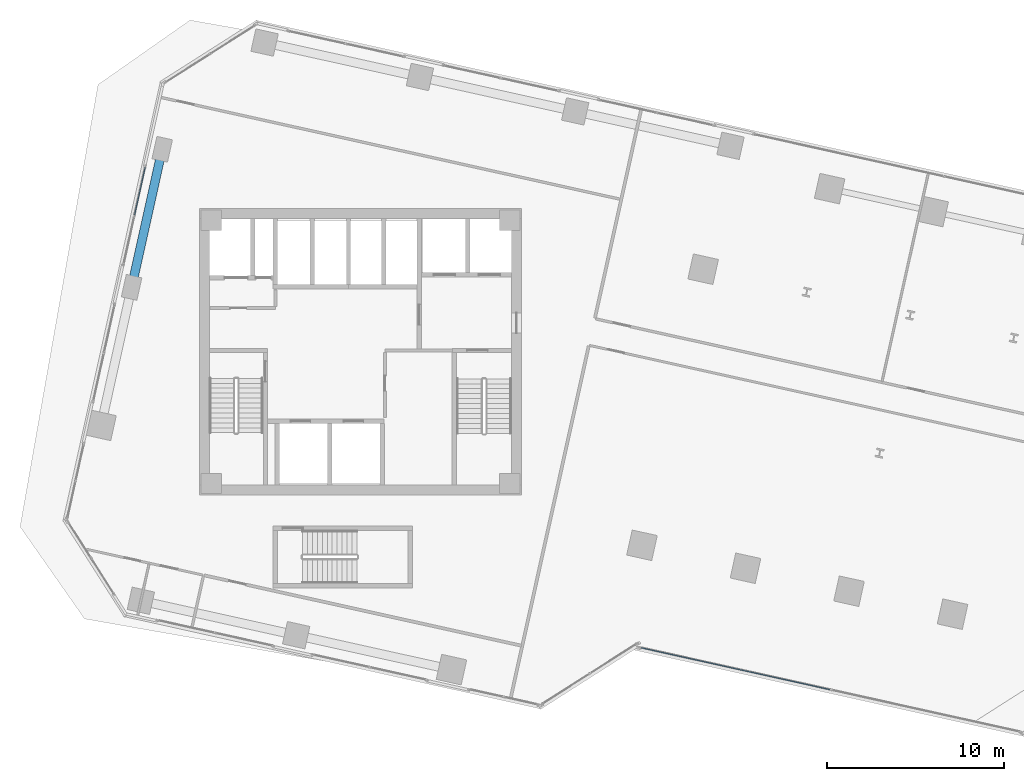
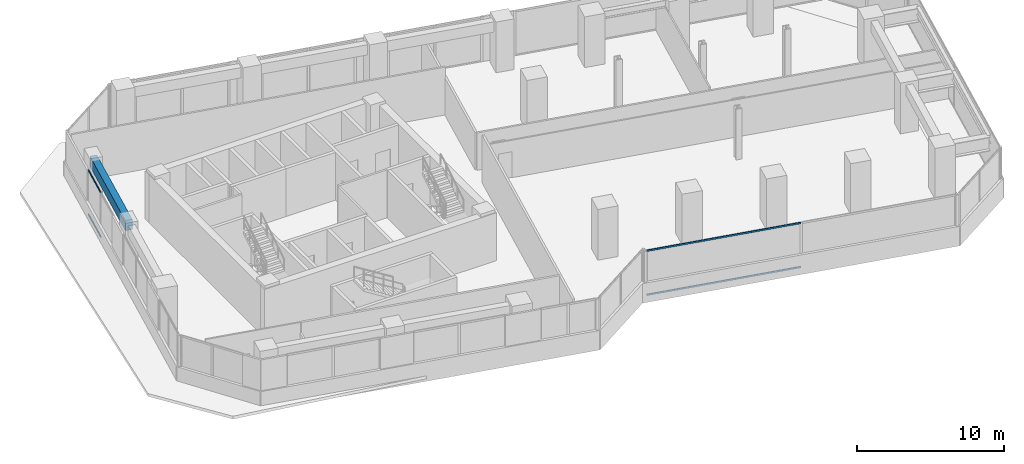
# One storey, part 7 of 25: 4 members, 1 beam, 2 elements without a shape of their own.
"""IFC4 building model written with IfcOpenShell, lengths in metres."""

from ifc_helpers import new_model, si_unit, direction, frame, origin, origin_2d, place, context, subcontext, project, spatial, rectangle, hollow_rectangle, extrude, source, transform, mapped, material, material_profile, profile_set, type_object, element, aggregate, save


model = new_model("IFC4")

# Units and contexts
model_context = context("Model", 3, precision=1e-05, world=origin(), true_north=direction((0.0, 1.0)))
body_context = subcontext(model_context, "Body", "Model", "MODEL_VIEW")
ifc_project = project(units=[si_unit("LENGTHUNIT", "METRE"), si_unit("AREAUNIT", "SQUARE_METRE"), si_unit("VOLUMEUNIT", "CUBIC_METRE"), si_unit("PLANEANGLEUNIT", "RADIAN"), si_unit("MASSUNIT", "GRAM", prefix="KILO")], contexts=[model_context])

# Site, building, storey
site_placement = place(None, origin())
site = spatial("IfcSite", under=ifc_project, at=site_placement, CompositionType="ELEMENT")
building_placement = place(site_placement, origin())
building = spatial("IfcBuilding", under=site, at=building_placement, Name="Torre Montelarca", CompositionType="ELEMENT")
storey_placement = place(building_placement, frame((0.0, 0.0, 87.39990234375)))
storey = spatial("IfcBuildingStorey", under=building, at=storey_placement, Name="L19", CompositionType="ELEMENT", Elevation=87.39990234375)

# Beam
ifc_material_1 = material(Name="Concrete C55/67", Category="concrete")
ifc_material_profile_1 = material_profile(ifc_material_1, rectangle(XDim=0.5, YDim=0.85009765625, at=origin_2d()), Name="RCB500X850", Category="concrete")
ifc_profile_set_1 = profile_set([ifc_material_profile_1], Name="Concrete C55/67")
beam_type = type_object("IfcBeamType", Name="BM-SP-RC850-EXT", PredefinedType="SPANDREL", material=ifc_profile_set_1)
shared_shape_1 = source(origin(), body_context, "Body", "SweptSolid", [
    extrude(rectangle(XDim=0.5, YDim=0.85009765625, at=origin_2d()), origin(), (0.0, 0.0, 1.0), 8.000244140625),
])
beam_placement = place(storey_placement, frame((5.04931640625, 35.64697265625, 3.53515625), z_axis=(0.216455447594, 0.976292496748, 0.0), x_axis=(-0.976292496748, 0.216455447594, 0.0)))
element("IfcBeam", 1, at=beam_placement, inside=storey, type_object=beam_type, Name="L19 Grid Girder Y 32.0-40.0 at X=4.7", PredefinedType="SPANDREL", context=body_context, shape_type="MappedRepresentation", body=[
    mapped(shared_shape_1, transform((0.0, 0.0, 0.0), scale=1.0)),
])

# Curtain wall, members
ifc_material_2 = material(Name="Insulated low-E laminated glass", Category="glass")
curtain_wall_type = type_object("IfcCurtainWallType", Name="CW-SYS-Z1", PredefinedType="USERDEFINED", material=ifc_material_2)
curtain_wall_1_placement = place(storey_placement, origin())
curtain_wall_1 = element("IfcCurtainWall", 2, at=curtain_wall_1_placement, inside=storey, type_object=curtain_wall_type, Name="L19 Curtain Wall Run CW-T3-L19-E04-B1", ObjectType="UNITISED GLAZING", PredefinedType="USERDEFINED")
ifc_material_3 = material(Name="Anodised aluminium AA 6063-T6", Category="aluminium")
ifc_material_profile_2 = material_profile(ifc_material_3, hollow_rectangle(XDim=0.06494140625, YDim=0.139892578125, WallThickness=0.00390625, InnerFilletRadius=0.00390625, OuterFilletRadius=0.008056640625, at=origin_2d()), Name="ALU65X140X4", Category="aluminium")
ifc_profile_set_2 = profile_set([ifc_material_profile_2], Name="Anodised aluminium AA 6063-T6")
member_type = type_object("IfcMemberType", Name="CWT-ALU140", PredefinedType="USERDEFINED", material=ifc_profile_set_2)
shared_shape_2 = source(origin(), body_context, "Body", "SweptSolid", [
    extrude(hollow_rectangle(XDim=0.06494140625, YDim=0.139892578125, WallThickness=0.00390625, InnerFilletRadius=0.00390625, OuterFilletRadius=0.008056640625, at=origin_2d()), origin(), (0.0, 0.0, 1.0), 10.948486328125),
])
member_1_placement = place(storey_placement, frame((33.8759765625, 15.25439453125, 0.03271484375), z_axis=(0.976297117817, -0.216434603845, 0.0), x_axis=(0.216434603845, 0.976297117817, 0.0)))
member_1 = element("IfcMember", 3, at=member_1_placement, type_object=member_type, Name="CW transom 1.1", ObjectType="TRANSOM", PredefinedType="USERDEFINED", context=body_context, shape_type="MappedRepresentation", body=[
    mapped(shared_shape_2, transform((0.0, 0.0, 0.0), scale=1.0)),
])
member_2_placement = place(storey_placement, frame((33.8759765625, 15.25439453125, 3.6875), z_axis=(0.976297117817, -0.216434603845, 0.0), x_axis=(0.216434603845, 0.976297117817, 0.0)))
member_2 = element("IfcMember", 4, at=member_2_placement, type_object=member_type, Name="CW transom 1.2", ObjectType="TRANSOM", PredefinedType="USERDEFINED", context=body_context, shape_type="MappedRepresentation", body=[
    mapped(shared_shape_2, transform((0.0, 0.0, 0.0), scale=1.0)),
])
aggregate(curtain_wall_1, [member_1, member_2])

curtain_wall_2_placement = place(storey_placement, origin())
curtain_wall_2 = element("IfcCurtainWall", 5, at=curtain_wall_2_placement, inside=storey, type_object=curtain_wall_type, Name="L19 Curtain Wall Run CW-T3-L19-E10-B1", ObjectType="UNITISED GLAZING", PredefinedType="USERDEFINED")
shared_shape_3 = source(origin(), body_context, "Body", "SweptSolid", [
    extrude(hollow_rectangle(XDim=0.06494140625, YDim=0.139892578125, WallThickness=0.00390625, InnerFilletRadius=0.00390625, OuterFilletRadius=0.008056640625, at=origin_2d()), origin(), (0.0, 0.0, 1.0), 2.7724609375),
])
member_3_placement = place(storey_placement, frame((5.8193359375, 42.446533203125, 0.03271484375), z_axis=(-0.216445596243, -0.976294680856, 0.0), x_axis=(0.976294680856, -0.216445596243, 0.0)))
member_3 = element("IfcMember", 6, at=member_3_placement, type_object=member_type, Name="CW transom 1.1", ObjectType="TRANSOM", PredefinedType="USERDEFINED", context=body_context, shape_type="MappedRepresentation", body=[
    mapped(shared_shape_3, transform((0.0, 0.0, 0.0), scale=1.0)),
])
member_4_placement = place(storey_placement, frame((5.8193359375, 42.446533203125, 3.6875), z_axis=(-0.216445596243, -0.976294680856, 0.0), x_axis=(0.976294680856, -0.216445596243, 0.0)))
member_4 = element("IfcMember", 7, at=member_4_placement, type_object=member_type, Name="CW transom 1.2", ObjectType="TRANSOM", PredefinedType="USERDEFINED", context=body_context, shape_type="MappedRepresentation", body=[
    mapped(shared_shape_3, transform((0.0, 0.0, 0.0), scale=1.0)),
])
aggregate(curtain_wall_2, [member_3, member_4])

save(model, "model.ifc")
